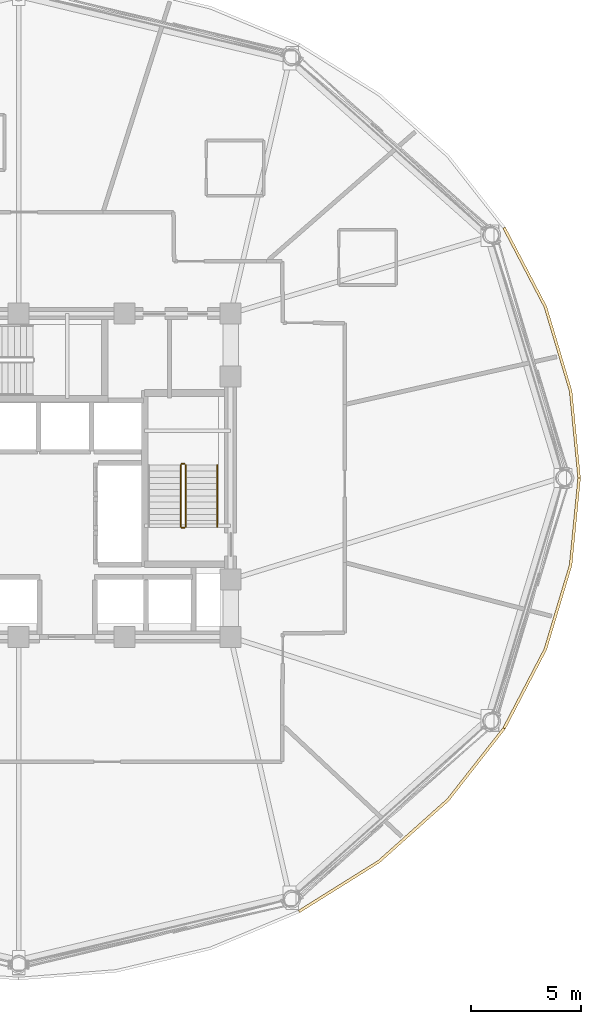
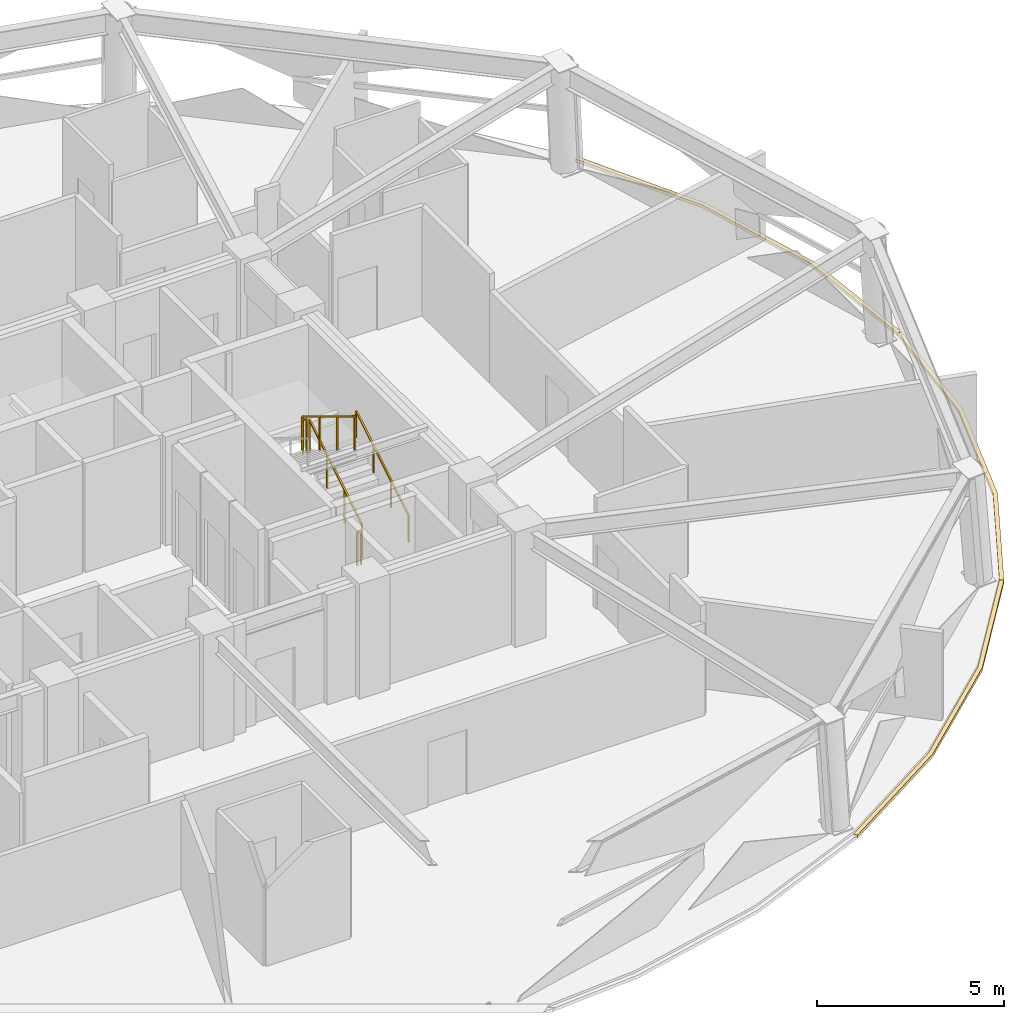
# One storey, part 11 of 12: 5 railings, 3 coverings.
"""IFC4 building model written with IfcOpenShell, lengths in metres."""

from ifc_helpers import new_model, si_unit, direction, frame, origin, origin_2d, place, context, subcontext, project, spatial, polyline, rectangle, outline, extrude, material, layer, layer_set, type_object, element, save


model = new_model("IFC4")

# Units and contexts
model_context = context("Model", 3, precision=1e-05, world=origin(), true_north=direction((0.0, 1.0)))
body_context = subcontext(model_context, "Body", "Model", "MODEL_VIEW")
ifc_project = project(units=[si_unit("LENGTHUNIT", "METRE"), si_unit("AREAUNIT", "SQUARE_METRE"), si_unit("VOLUMEUNIT", "CUBIC_METRE"), si_unit("PLANEANGLEUNIT", "RADIAN"), si_unit("MASSUNIT", "GRAM", prefix="KILO")], contexts=[model_context])

# Site, building, storey
site_placement = place(None, origin())
site = spatial("IfcSite", under=ifc_project, at=site_placement, CompositionType="ELEMENT")
building_placement = place(site_placement, origin())
building = spatial("IfcBuilding", under=site, at=building_placement, Name="Vantalir Tower", CompositionType="ELEMENT")
storey_placement = place(building_placement, frame((0.0, 0.0, 160.949951171875)))
storey = spatial("IfcBuildingStorey", under=building, at=storey_placement, Name="L40", CompositionType="ELEMENT", Elevation=160.949951171875)

# Coverings
ifc_material_1 = material(Name="Anodised champagne aluminium sill fascia", Category="aluminium")
ifc_layer = layer(ifc_material_1, 0.125)
ifc_layer_set = layer_set([ifc_layer], Name="Anodised champagne aluminium sill fascia")
covering_type = type_object("IfcCoveringType", Name="COV-SLAB-FASCIA-125", PredefinedType="CLADDING", material=ifc_layer_set)
covering_1_placement = place(storey_placement, frame((0.0, 0.0, -0.179931640625)))
element("IfcCovering", 1, at=covering_1_placement, inside=storey, type_object=covering_type, Name="L40 Perimeter Slab-Edge Sill Fascia 01", PredefinedType="CLADDING", context=body_context, shape_type="SweptSolid", body=[
    extrude(outline(polyline([(56.9580078125, 25.0), (56.571044921875, 28.948974609375), (55.423095703125, 32.779052734375), (53.547119140625, 36.3720703125), (53.43896484375, 36.30908203125), (55.304931640625, 32.736083984375), (56.447998046875, 28.927978515625), (56.8330078125, 25.0), (56.9580078125, 25.0)])), origin(), (0.0, 0.0, 1.0), 0.10498046875),
])
covering_2_placement = place(storey_placement, frame((0.0, 0.0, -0.179931640625)))
element("IfcCovering", 2, at=covering_2_placement, inside=storey, type_object=covering_type, Name="L40 Perimeter Slab-Edge Sill Fascia 11", PredefinedType="CLADDING", context=body_context, shape_type="SweptSolid", body=[
    extrude(outline(polyline([(44.22900390625, 5.302978515625), (47.864013671875, 7.576904296875), (51.001953125, 10.3798828125), (53.547119140625, 13.6279296875), (53.43896484375, 13.68994140625), (50.906005859375, 10.4609375), (47.783935546875, 7.673095703125), (44.1669921875, 5.410888671875), (44.22900390625, 5.302978515625)])), origin(), (0.0, 0.0, 1.0), 0.10498046875),
])
covering_3_placement = place(storey_placement, frame((0.0, 0.0, -0.179931640625)))
element("IfcCovering", 3, at=covering_3_placement, inside=storey, type_object=covering_type, Name="L40 Perimeter Slab-Edge Sill Fascia 12", PredefinedType="CLADDING", context=body_context, shape_type="SweptSolid", body=[
    extrude(outline(polyline([(53.547119140625, 13.6279296875), (55.423095703125, 17.220947265625), (56.571044921875, 21.051025390625), (56.9580078125, 25.0), (56.8330078125, 25.0), (56.447998046875, 21.072021484375), (55.304931640625, 17.263916015625), (53.43896484375, 13.68994140625), (53.547119140625, 13.6279296875)])), origin(), (0.0, 0.0, 1.0), 0.10498046875),
])

# Railings
ifc_material_2 = material(Name="Anodised aluminium and stainless steel guard", Category="steel")
railing_type_1 = type_object("IfcRailingType", Name="RAL-GUARD-1120", PredefinedType="GUARDRAIL", material=ifc_material_2)
railing_1_placement = place(storey_placement, frame((39.06005859375, 22.7900390625, 0.17041015625)))
element("IfcRailing", 4, at=railing_1_placement, inside=storey, type_object=railing_type_1, Name="L40 ST2 stair guard 1", PredefinedType="GUARDRAIL", context=body_context, shape_type="SweptSolid", body=[
    extrude(rectangle(XDim=0.048095703125, YDim=0.048095703125, at=origin_2d()), frame((0.0, 0.0, 1.09619140625), z_axis=(0.0, 0.854169791009, 0.51999420009), x_axis=(-1.0, 0.0, 0.0)), (0.0, 0.0, 1.0), 3.278076171875),
    extrude(rectangle(XDim=0.0419921875, YDim=0.0419921875, at=origin_2d()), origin(), (0.0, 0.0, 1.0), 1.072021484375),
    extrude(rectangle(XDim=0.0419921875, YDim=0.0419921875, at=origin_2d()), frame((0.0, 0.933349609375, 0.568115234375)), (0.0, 0.0, 1.0), 1.072021484375),
    extrude(rectangle(XDim=0.0419921875, YDim=0.0419921875, at=origin_2d()), frame((0.0, 1.86669921875, 1.136474609375)), (0.0, 0.0, 1.0), 1.072021484375),
    extrude(rectangle(XDim=0.0419921875, YDim=0.0419921875, at=origin_2d()), frame((0.0, 2.800048828125, 1.70458984375)), (0.0, 0.0, 1.0), 1.072021484375),
])
railing_2_placement = place(storey_placement, frame((39.010009765625, 25.639892578125, 1.875)))
element("IfcRailing", 5, at=railing_2_placement, inside=storey, type_object=railing_type_1, Name="L40 ST2 stair guard 2", PredefinedType="GUARDRAIL", context=body_context, shape_type="SweptSolid", body=[
    extrude(rectangle(XDim=0.048095703125, YDim=0.048095703125, at=origin_2d()), frame((0.0, 0.0, 1.09619140625), z_axis=(-1.0, 0.0, 0.0), x_axis=(0.0, -1.0, 0.0)), (0.0, 0.0, 1.0), 0.1201171875),
    extrude(rectangle(XDim=0.0419921875, YDim=0.0419921875, at=origin_2d()), origin(), (0.0, 0.0, 1.0), 1.072021484375),
    extrude(rectangle(XDim=0.0419921875, YDim=0.0419921875, at=origin_2d()), frame((-0.1201171875, 0.0, 0.0)), (0.0, 0.0, 1.0), 1.072021484375),
])
railing_3_placement = place(storey_placement, frame((38.840087890625, 25.590087890625, 2.04541015625)))
element("IfcRailing", 6, at=railing_3_placement, inside=storey, type_object=railing_type_1, Name="L40 ST2 stair guard 3", PredefinedType="GUARDRAIL", context=body_context, shape_type="SweptSolid", body=[
    extrude(rectangle(XDim=0.048095703125, YDim=0.048095703125, at=origin_2d()), frame((0.0, 0.0, 1.09619140625), z_axis=(0.0, -0.854169791009, 0.51999420009), x_axis=(1.0, 0.0, 0.0)), (0.0, 0.0, 1.0), 3.278076171875),
    extrude(rectangle(XDim=0.0419921875, YDim=0.0419921875, at=origin_2d()), origin(), (0.0, 0.0, 1.0), 1.072021484375),
    extrude(rectangle(XDim=0.0419921875, YDim=0.0419921875, at=origin_2d()), frame((0.0, -0.933349609375, 0.568115234375)), (0.0, 0.0, 1.0), 1.072021484375),
    extrude(rectangle(XDim=0.0419921875, YDim=0.0419921875, at=origin_2d()), frame((0.0, -1.86669921875, 1.136474609375)), (0.0, 0.0, 1.0), 1.072021484375),
    extrude(rectangle(XDim=0.0419921875, YDim=0.0419921875, at=origin_2d()), frame((0.0, -2.800048828125, 1.70458984375)), (0.0, 0.0, 1.0), 1.072021484375),
])
railing_4_placement = place(storey_placement, frame((39.010009765625, 22.739990234375, 0.0)))
element("IfcRailing", 7, at=railing_4_placement, inside=storey, type_object=railing_type_1, Name="L40 ST2 stair guard 4", PredefinedType="GUARDRAIL", context=body_context, shape_type="SweptSolid", body=[
    extrude(rectangle(XDim=0.048095703125, YDim=0.048095703125, at=origin_2d()), frame((0.0, 0.0, 1.09619140625), z_axis=(-1.0, 0.0, 0.0), x_axis=(0.0, -1.0, 0.0)), (0.0, 0.0, 1.0), 0.1201171875),
    extrude(rectangle(XDim=0.0419921875, YDim=0.0419921875, at=origin_2d()), origin(), (0.0, 0.0, 1.0), 1.072021484375),
    extrude(rectangle(XDim=0.0419921875, YDim=0.0419921875, at=origin_2d()), frame((-0.1201171875, 0.0, 0.0)), (0.0, 0.0, 1.0), 1.072021484375),
])
ifc_material_3 = material(Name="Brushed stainless steel tubular handrail", Category="steel")
railing_type_2 = type_object("IfcRailingType", Name="RAL-HANDRAIL-900", PredefinedType="HANDRAIL", material=ifc_material_3)
railing_5_placement = place(storey_placement, frame((40.5, 22.7900390625, 0.17041015625)))
element("IfcRailing", 8, at=railing_5_placement, inside=storey, type_object=railing_type_2, Name="L40 ST2 stair handrail 1", PredefinedType="HANDRAIL", context=body_context, shape_type="SweptSolid", body=[
    extrude(rectangle(XDim=0.048095703125, YDim=0.048095703125, at=origin_2d()), frame((0.0, 0.0, 0.8759765625), z_axis=(0.0, 0.854169791009, 0.51999420009), x_axis=(-1.0, 0.0, 0.0)), (0.0, 0.0, 1.0), 3.278076171875),
    extrude(rectangle(XDim=0.0419921875, YDim=0.0419921875, at=origin_2d()), origin(), (0.0, 0.0, 1.0), 0.851806640625),
    extrude(rectangle(XDim=0.0419921875, YDim=0.0419921875, at=origin_2d()), frame((0.0, 0.933349609375, 0.568115234375)), (0.0, 0.0, 1.0), 0.851806640625),
    extrude(rectangle(XDim=0.0419921875, YDim=0.0419921875, at=origin_2d()), frame((0.0, 1.86669921875, 1.136474609375)), (0.0, 0.0, 1.0), 0.851806640625),
    extrude(rectangle(XDim=0.0419921875, YDim=0.0419921875, at=origin_2d()), frame((0.0, 2.800048828125, 1.70458984375)), (0.0, 0.0, 1.0), 0.851806640625),
])

save(model, "model.ifc")
